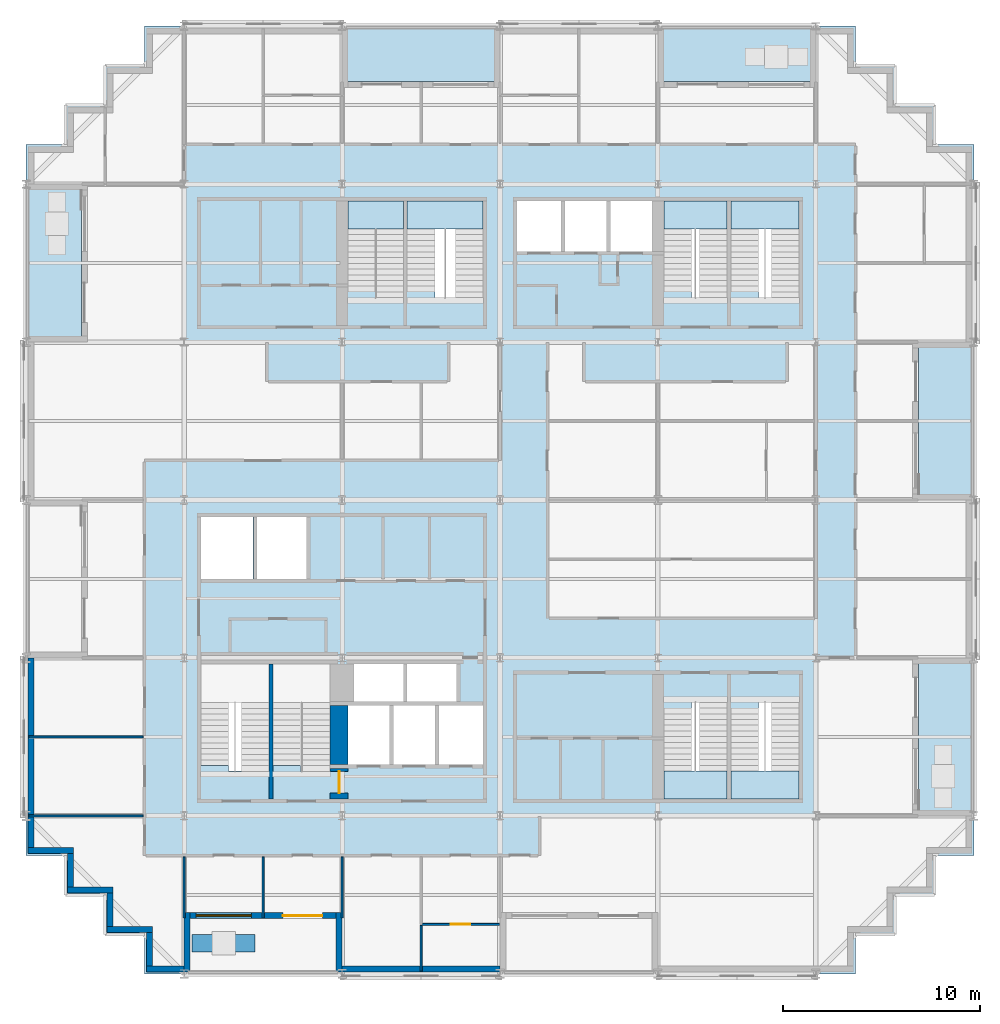
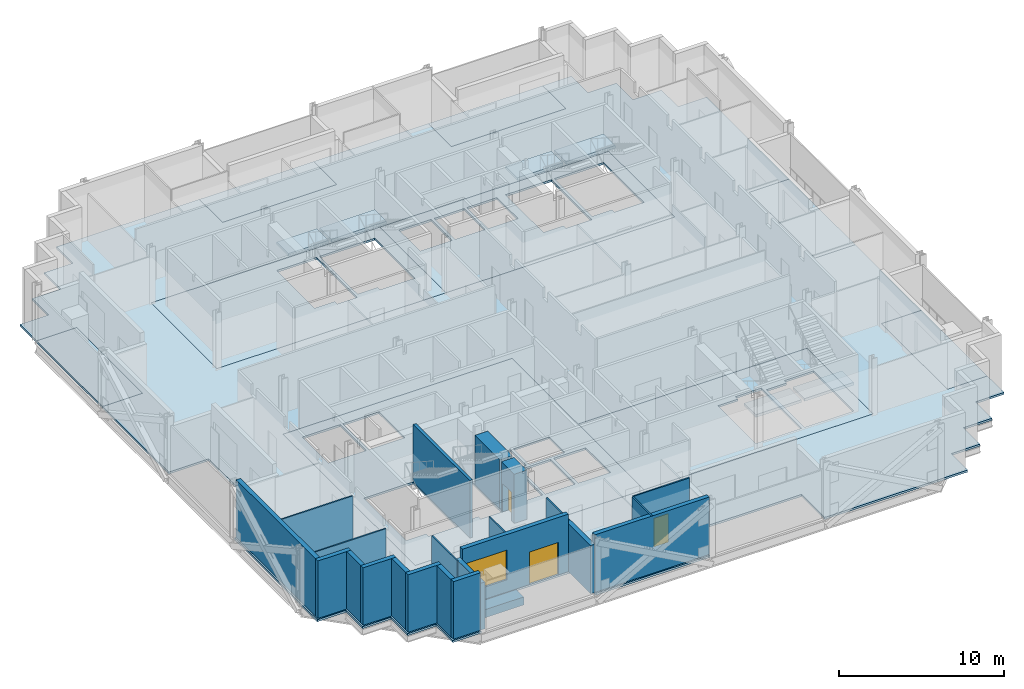
# One storey, part 5 of 15: 23 walls, 16 slabs, 3 doors, 1 window, 4 openings, 6 elements without a shape of their own.
"""IFC4 building model written with IfcOpenShell, lengths in metres."""

from ifc_helpers import new_model, si_unit, direction, frame, frame_2d, origin, place, context, subcontext, project, spatial, polyline, rectangle, outline, extrude, material, layer, layer_set, type_object, element, fill, aggregate, save


model = new_model("IFC4")

# Units and contexts
model_context = context("Model", 3, precision=1e-05, world=origin(), true_north=direction((0.0, 1.0)))
body_context = subcontext(model_context, "Body", "Model", "MODEL_VIEW")
ifc_project = project(units=[si_unit("LENGTHUNIT", "METRE"), si_unit("AREAUNIT", "SQUARE_METRE"), si_unit("VOLUMEUNIT", "CUBIC_METRE"), si_unit("PLANEANGLEUNIT", "RADIAN"), si_unit("MASSUNIT", "GRAM", prefix="KILO")], contexts=[model_context])

# Site, building, storey
site_placement = place(None, origin())
site = spatial("IfcSite", under=ifc_project, at=site_placement, CompositionType="ELEMENT")
building_placement = place(site_placement, origin())
building = spatial("IfcBuilding", under=site, at=building_placement, Name="Immortelle Media Tower", CompositionType="ELEMENT")
storey_placement = place(building_placement, frame((0.0, 0.0, 65.60009765625)))
storey = spatial("IfcBuildingStorey", under=building, at=storey_placement, Name="L11", CompositionType="ELEMENT", Elevation=65.60009765625)

# Slabs
ifc_material_1 = material(Name="Concrete C50/60 composite deck", Category="concrete")
ifc_layer_1 = layer(ifc_material_1, 0.14990234375)
ifc_layer_set_1 = layer_set([ifc_layer_1], Name="Concrete C50/60 composite deck")
slab_type_1 = type_object("IfcSlabType", Name="Balcony slab 150", PredefinedType="FLOOR", material=ifc_layer_set_1)
slab_1_placement = place(storey_placement, frame((0.0, 0.0, -0.150146484375)))
element("IfcSlab", 1, at=slab_1_placement, inside=storey, type_object=slab_type_1, Name="Balcony slab L11 W0", PredefinedType="FLOOR", context=body_context, shape_type="SweptSolid", body=[
    extrude(outline(polyline([(2.800048828125, 32.0), (2.800048828125, 40.0), (0.0, 40.0), (0.0, 32.0), (2.800048828125, 32.0)])), origin(), (0.0, 0.0, 1.0), 0.150146484375),
])
slab_2_placement = place(storey_placement, frame((0.0, 0.0, -0.150146484375)))
element("IfcSlab", 2, at=slab_2_placement, inside=storey, type_object=slab_type_1, Name="Balcony slab L11 E0", PredefinedType="FLOOR", context=body_context, shape_type="SweptSolid", body=[
    extrude(outline(polyline([(48.0, 8.0), (48.0, 16.0), (45.199951171875, 16.0), (45.199951171875, 8.0), (48.0, 8.0)])), origin(), (0.0, 0.0, 1.0), 0.150146484375),
])
slab_3_placement = place(storey_placement, frame((0.0, 0.0, -0.150146484375)))
element("IfcSlab", 3, at=slab_3_placement, inside=storey, type_object=slab_type_1, Name="Balcony slab L11 E2", PredefinedType="FLOOR", context=body_context, shape_type="SweptSolid", body=[
    extrude(outline(polyline([(48.0, 24.0), (48.0, 32.0), (45.199951171875, 32.0), (45.199951171875, 24.0), (48.0, 24.0)])), origin(), (0.0, 0.0, 1.0), 0.150146484375),
])
slab_4_placement = place(storey_placement, frame((0.0, 0.0, -0.150146484375)))
element("IfcSlab", 4, at=slab_4_placement, inside=storey, type_object=slab_type_1, Name="Balcony slab L11 N0", PredefinedType="FLOOR", context=body_context, shape_type="SweptSolid", body=[
    extrude(outline(polyline([(40.0, 45.199951171875), (40.0, 48.0), (32.0, 48.0), (32.0, 45.199951171875), (40.0, 45.199951171875)])), origin(), (0.0, 0.0, 1.0), 0.150146484375),
])
slab_5_placement = place(storey_placement, frame((0.0, 0.0, -0.150146484375)))
element("IfcSlab", 5, at=slab_5_placement, inside=storey, type_object=slab_type_1, Name="Balcony slab L11 N2", PredefinedType="FLOOR", context=body_context, shape_type="SweptSolid", body=[
    extrude(outline(polyline([(24.0, 45.199951171875), (24.0, 48.0), (16.0, 48.0), (16.0, 45.199951171875), (24.0, 45.199951171875)])), origin(), (0.0, 0.0, 1.0), 0.150146484375),
])
ifc_material_2 = material(Name="Concrete C50/60", Category="concrete")
ifc_layer_2 = layer(ifc_material_2, 0.14990234375)
ifc_layer_set_2 = layer_set([ifc_layer_2], Name="Concrete C50/60")
slab_type_2 = type_object("IfcSlabType", Name="Composite floor slab 150", PredefinedType="FLOOR", material=ifc_layer_set_2)
slab_6_placement = place(storey_placement, frame((0.0, 0.0, -0.150146484375)))
element("IfcSlab", 6, at=slab_6_placement, inside=storey, type_object=slab_type_2, Name="Floor slab L11", PredefinedType="FLOOR", context=body_context, shape_type="SweptSolid", body=[
    extrude(outline(polyline([(6.0, 0.0), (6.0, 2.0), (4.0, 2.0), (4.0, 4.0), (2.0, 4.0), (2.0, 6.0), (0.0, 6.0), (0.0, 16.0), (2.800048828125, 16.0), (2.800048828125, 24.0), (0.0, 24.0), (0.0, 32.0), (2.800048828125, 32.0), (2.800048828125, 40.0), (0.0, 40.0), (0.0, 42.0), (2.0, 42.0), (2.0, 44.0), (4.0, 44.0), (4.0, 46.0), (6.0, 46.0), (6.0, 48.0), (16.0, 48.0), (16.0, 45.199951171875), (24.0, 45.199951171875), (24.0, 48.0), (32.0, 48.0), (32.0, 45.199951171875), (40.0, 45.199951171875), (40.0, 48.0), (42.0, 48.0), (42.0, 46.0), (44.0, 46.0), (44.0, 44.0), (46.0, 44.0), (46.0, 42.0), (48.0, 42.0), (48.0, 32.0), (45.199951171875, 32.0), (45.199951171875, 24.0), (48.0, 24.0), (48.0, 16.0), (45.199951171875, 16.0), (45.199951171875, 8.0), (48.0, 8.0), (48.0, 6.0), (46.0, 6.0), (46.0, 4.0), (44.0, 4.0), (44.0, 2.0), (42.0, 2.0), (42.0, 0.0), (32.0, 0.0), (32.0, 2.800048828125), (24.0, 2.800048828125), (24.0, 0.0), (16.0, 0.0), (16.0, 2.800048828125), (8.0, 2.800048828125), (8.0, 0.0), (6.0, 0.0)]), holes=[polyline([(24.0, 24.0), (8.0, 24.0), (8.0, 8.0), (24.0, 8.0), (40.0, 8.0), (40.0, 16.0), (24.0, 16.0), (24.0, 24.0)]), polyline([(24.0, 32.0), (40.0, 32.0), (40.0, 40.0), (24.0, 40.0), (8.0, 40.0), (8.0, 32.0), (24.0, 32.0)])]), origin(), (0.0, 0.0, 1.0), 0.150146484375),
])
ifc_layer_3 = layer(ifc_material_2, 0.14990234375)
ifc_layer_set_3 = layer_set([ifc_layer_3], Name="Concrete C50/60")
slab_type_3 = type_object("IfcSlabType", Name="Core floor slab 150", PredefinedType="FLOOR", material=ifc_layer_set_3)
slab_7_placement = place(storey_placement, frame((0.0, 0.0, -0.150146484375)))
element("IfcSlab", 7, at=slab_7_placement, inside=storey, type_object=slab_type_3, Name="Core floor SW", PredefinedType="FLOOR", context=body_context, shape_type="SweptSolid", body=[
    extrude(outline(polyline([(8.0, 8.0), (24.0, 8.0), (24.0, 24.0), (8.0, 24.0), (8.0, 8.0)]), holes=[polyline([(8.85009765625, 20.0), (11.5, 20.0), (11.5, 23.14990234375), (8.85009765625, 23.14990234375), (8.85009765625, 20.0)]), polyline([(11.699951171875, 20.0), (14.199951171875, 20.0), (14.199951171875, 23.14990234375), (11.699951171875, 23.14990234375), (11.699951171875, 20.0)]), polyline([(16.60009765625, 13.800048828125), (19.10009765625, 13.800048828125), (19.10009765625, 15.699951171875), (16.60009765625, 15.699951171875), (16.60009765625, 13.800048828125)]), polyline([(19.300048828125, 13.800048828125), (21.800048828125, 13.800048828125), (21.800048828125, 15.699951171875), (19.300048828125, 15.699951171875), (19.300048828125, 13.800048828125)]), polyline([(16.300048828125, 10.60009765625), (18.39990234375, 10.60009765625), (18.39990234375, 13.60009765625), (16.300048828125, 13.60009765625), (16.300048828125, 10.60009765625)]), polyline([(18.60009765625, 10.60009765625), (20.699951171875, 10.60009765625), (20.699951171875, 13.60009765625), (18.60009765625, 13.60009765625), (18.60009765625, 10.60009765625)]), polyline([(20.89990234375, 10.60009765625), (23.14990234375, 10.60009765625), (23.14990234375, 13.60009765625), (20.89990234375, 13.60009765625), (20.89990234375, 10.60009765625)]), polyline([(8.85009765625, 15.699951171875), (12.300048828125, 15.699951171875), (12.300048828125, 10.27001953125), (10.25, 10.27001953125), (10.25, 10.56005859375), (8.85009765625, 10.56005859375), (8.85009765625, 15.699951171875)]), polyline([(12.5, 15.699951171875), (15.39990234375, 15.699951171875), (15.39990234375, 10.27001953125), (13.89990234375, 10.27001953125), (13.89990234375, 10.56005859375), (12.5, 10.56005859375), (12.5, 15.699951171875)])]), origin(), (0.0, 0.0, 1.0), 0.150146484375),
])
slab_8_placement = place(storey_placement, frame((0.0, 0.0, -0.150146484375)))
element("IfcSlab", 8, at=slab_8_placement, inside=storey, type_object=slab_type_3, Name="Core floor SE", PredefinedType="FLOOR", context=body_context, shape_type="SweptSolid", body=[
    extrude(outline(polyline([(24.0, 8.0), (40.0, 8.0), (40.0, 16.0), (24.0, 16.0), (24.0, 8.0)]), holes=[polyline([(35.5, 13.72998046875), (35.5, 8.85009765625), (32.300048828125, 8.85009765625), (32.300048828125, 13.43994140625), (33.699951171875, 13.43994140625), (33.699951171875, 13.72998046875), (35.5, 13.72998046875)]), polyline([(39.14990234375, 13.72998046875), (39.14990234375, 8.85009765625), (35.699951171875, 8.85009765625), (35.699951171875, 13.43994140625), (37.10009765625, 13.43994140625), (37.10009765625, 13.72998046875), (39.14990234375, 13.72998046875)])]), origin(), (0.0, 0.0, 1.0), 0.150146484375),
])
slab_9_placement = place(storey_placement, frame((0.0, 0.0, -0.150146484375)))
element("IfcSlab", 9, at=slab_9_placement, inside=storey, type_object=slab_type_3, Name="Core floor NW", PredefinedType="FLOOR", context=body_context, shape_type="SweptSolid", body=[
    extrude(outline(polyline([(8.0, 32.0), (24.0, 32.0), (24.0, 40.0), (8.0, 40.0), (8.0, 32.0)]), holes=[polyline([(16.300048828125, 39.14990234375), (19.10009765625, 39.14990234375), (19.10009765625, 34.27001953125), (17.699951171875, 34.27001953125), (17.699951171875, 34.56005859375), (16.300048828125, 34.56005859375), (16.300048828125, 39.14990234375)]), polyline([(19.300048828125, 39.14990234375), (23.14990234375, 39.14990234375), (23.14990234375, 34.27001953125), (20.699951171875, 34.27001953125), (20.699951171875, 34.56005859375), (19.300048828125, 34.56005859375), (19.300048828125, 39.14990234375)])]), origin(), (0.0, 0.0, 1.0), 0.150146484375),
])
slab_10_placement = place(storey_placement, frame((0.0, 0.0, -0.150146484375)))
element("IfcSlab", 10, at=slab_10_placement, inside=storey, type_object=slab_type_3, Name="Core floor NE", PredefinedType="FLOOR", context=body_context, shape_type="SweptSolid", body=[
    extrude(outline(polyline([(24.0, 32.0), (40.0, 32.0), (40.0, 40.0), (24.0, 40.0), (24.0, 32.0)]), holes=[polyline([(24.85009765625, 36.60009765625), (27.10009765625, 36.60009765625), (27.10009765625, 39.14990234375), (24.85009765625, 39.14990234375), (24.85009765625, 36.60009765625)]), polyline([(27.300048828125, 36.60009765625), (29.39990234375, 36.60009765625), (29.39990234375, 39.14990234375), (27.300048828125, 39.14990234375), (27.300048828125, 36.60009765625)]), polyline([(29.60009765625, 36.60009765625), (31.699951171875, 36.60009765625), (31.699951171875, 39.14990234375), (29.60009765625, 39.14990234375), (29.60009765625, 36.60009765625)]), polyline([(32.300048828125, 39.14990234375), (35.5, 39.14990234375), (35.5, 34.27001953125), (33.699951171875, 34.27001953125), (33.699951171875, 34.56005859375), (32.300048828125, 34.56005859375), (32.300048828125, 39.14990234375)]), polyline([(35.699951171875, 39.14990234375), (39.14990234375, 39.14990234375), (39.14990234375, 34.27001953125), (37.10009765625, 34.27001953125), (37.10009765625, 34.56005859375), (35.699951171875, 34.56005859375), (35.699951171875, 39.14990234375)])]), origin(), (0.0, 0.0, 1.0), 0.150146484375),
])

# Stair, slab
ifc_material_3 = material(Name="Steel ASTM A992 Gr 50", Category="steel")
stair_type = type_object("IfcStairType", Name="Stair with flights", PredefinedType="DOUBLE_RETURN_STAIR", material=ifc_material_3)
stair_1_placement = place(storey_placement, origin())
stair_1 = element("IfcStair", 11, at=stair_1_placement, inside=storey, type_object=stair_type, Name="Exit stair SE1", PredefinedType="DOUBLE_RETURN_STAIR")
ifc_material_4 = material(Name="Steel ASTM A572 Gr 50", Category="steel")
ifc_layer_4 = layer(ifc_material_4, 0.199951171875)
ifc_layer_set_4 = layer_set([ifc_layer_4], Name="Steel ASTM A572 Gr 50")
slab_type_4 = type_object("IfcSlabType", Name="Stair landing 200", PredefinedType="LANDING", material=ifc_layer_set_4)
slab_11_placement = place(storey_placement, frame((0.0, 0.0, 1.911865234375)))
slab_11 = element("IfcSlab", 12, at=slab_11_placement, type_object=slab_type_4, Name="ST SE1 landing 1", PredefinedType="LANDING", context=body_context, shape_type="SweptSolid", body=[
    extrude(outline(polyline([(32.300048828125, 8.85009765625), (35.5, 8.85009765625), (35.5, 10.27001953125), (32.300048828125, 10.27001953125), (32.300048828125, 8.85009765625)])), origin(), (0.0, 0.0, 1.0), 0.199951171875),
])
aggregate(stair_1, [slab_11])

stair_2_placement = place(storey_placement, origin())
stair_2 = element("IfcStair", 13, at=stair_2_placement, inside=storey, type_object=stair_type, Name="Exit stair SE2", PredefinedType="DOUBLE_RETURN_STAIR")
slab_12_placement = place(storey_placement, frame((0.0, 0.0, 1.911865234375)))
slab_12 = element("IfcSlab", 14, at=slab_12_placement, type_object=slab_type_4, Name="ST SE2 landing 1", PredefinedType="LANDING", context=body_context, shape_type="SweptSolid", body=[
    extrude(outline(polyline([(35.699951171875, 8.85009765625), (39.14990234375, 8.85009765625), (39.14990234375, 10.27001953125), (35.699951171875, 10.27001953125), (35.699951171875, 8.85009765625)])), origin(), (0.0, 0.0, 1.0), 0.199951171875),
])
aggregate(stair_2, [slab_12])

stair_3_placement = place(storey_placement, origin())
stair_3 = element("IfcStair", 15, at=stair_3_placement, inside=storey, type_object=stair_type, Name="Exit stair NW1", PredefinedType="DOUBLE_RETURN_STAIR")
slab_13_placement = place(storey_placement, frame((0.0, 0.0, 1.911865234375)))
slab_13 = element("IfcSlab", 16, at=slab_13_placement, type_object=slab_type_4, Name="ST NW1 landing 1", PredefinedType="LANDING", context=body_context, shape_type="SweptSolid", body=[
    extrude(outline(polyline([(16.300048828125, 37.72998046875), (19.10009765625, 37.72998046875), (19.10009765625, 39.14990234375), (16.300048828125, 39.14990234375), (16.300048828125, 37.72998046875)])), origin(), (0.0, 0.0, 1.0), 0.199951171875),
])
aggregate(stair_3, [slab_13])

stair_4_placement = place(storey_placement, origin())
stair_4 = element("IfcStair", 17, at=stair_4_placement, inside=storey, type_object=stair_type, Name="Exit stair NW2", PredefinedType="DOUBLE_RETURN_STAIR")
slab_14_placement = place(storey_placement, frame((0.0, 0.0, 1.911865234375)))
slab_14 = element("IfcSlab", 18, at=slab_14_placement, type_object=slab_type_4, Name="ST NW2 landing 1", PredefinedType="LANDING", context=body_context, shape_type="SweptSolid", body=[
    extrude(outline(polyline([(19.300048828125, 37.72998046875), (23.14990234375, 37.72998046875), (23.14990234375, 39.14990234375), (19.300048828125, 39.14990234375), (19.300048828125, 37.72998046875)])), origin(), (0.0, 0.0, 1.0), 0.199951171875),
])
aggregate(stair_4, [slab_14])

stair_5_placement = place(storey_placement, origin())
stair_5 = element("IfcStair", 19, at=stair_5_placement, inside=storey, type_object=stair_type, Name="Exit stair NE1", PredefinedType="DOUBLE_RETURN_STAIR")
slab_15_placement = place(storey_placement, frame((0.0, 0.0, 1.911865234375)))
slab_15 = element("IfcSlab", 20, at=slab_15_placement, type_object=slab_type_4, Name="ST NE1 landing 1", PredefinedType="LANDING", context=body_context, shape_type="SweptSolid", body=[
    extrude(outline(polyline([(32.300048828125, 37.72998046875), (35.5, 37.72998046875), (35.5, 39.14990234375), (32.300048828125, 39.14990234375), (32.300048828125, 37.72998046875)])), origin(), (0.0, 0.0, 1.0), 0.199951171875),
])
aggregate(stair_5, [slab_15])

stair_6_placement = place(storey_placement, origin())
stair_6 = element("IfcStair", 21, at=stair_6_placement, inside=storey, type_object=stair_type, Name="Exit stair NE2", PredefinedType="DOUBLE_RETURN_STAIR")
slab_16_placement = place(storey_placement, frame((0.0, 0.0, 1.911865234375)))
slab_16 = element("IfcSlab", 22, at=slab_16_placement, type_object=slab_type_4, Name="ST NE2 landing 1", PredefinedType="LANDING", context=body_context, shape_type="SweptSolid", body=[
    extrude(outline(polyline([(35.699951171875, 37.72998046875), (39.14990234375, 37.72998046875), (39.14990234375, 39.14990234375), (35.699951171875, 39.14990234375), (35.699951171875, 37.72998046875)])), origin(), (0.0, 0.0, 1.0), 0.199951171875),
])
aggregate(stair_6, [slab_16])

# Walls
ifc_material_5 = material(Name="Pale aluminium cladding panel", Category="aluminium")
ifc_layer_5 = layer(ifc_material_5, 0.030029296875)
ifc_material_6 = material(Name="Steel ASTM A653 SS Gr 50 stud frame with mineral wool", Category="steel")
ifc_layer_6 = layer(ifc_material_6, 0.257568359375)
ifc_material_7 = material(Name="Moisture-resistant gypsum board", Category="gypsum")
ifc_layer_7 = layer(ifc_material_7, 0.012451171875)
ifc_layer_set_5 = layer_set([ifc_layer_5, ifc_layer_6, ifc_layer_7], Name="Steel ASTM A653 SS Gr 50 stud frame with mineral wool")
wall_type_1 = type_object("IfcWallType", Name="Facade wall 300", PredefinedType="SOLIDWALL", material=ifc_layer_set_5)
wall_1_placement = place(storey_placement, frame((0.25, 16.0, 0.0), z_axis=(0.0, 0.0, 1.0), x_axis=(0.0, -1.0, 0.0)))
element("IfcWall", 23, at=wall_1_placement, inside=storey, type_object=wall_type_1, Name="Facade wall L11 W0", PredefinedType="SOLIDWALL", context=body_context, shape_type="SweptSolid", body=[
    extrude(rectangle(XDim=9.60009765625, YDim=0.300048828125, at=frame_2d((4.800048828125, 0.0))), origin(), (0.0, 0.0, 1.0), 4.25),
])
wall_2_placement = place(storey_placement, frame((0.10009765625, 6.25, 0.0), z_axis=(0.0, 0.0, 1.0), x_axis=(1.0, 0.0, 0.0)))
element("IfcWall", 24, at=wall_2_placement, inside=storey, type_object=wall_type_1, Name="Facade wall L11 S1", PredefinedType="SOLIDWALL", context=body_context, shape_type="SweptSolid", body=[
    extrude(rectangle(XDim=2.2998046875, YDim=0.300048828125, at=frame_2d((1.14990234375, 0.0))), origin(), (0.0, 0.0, 1.0), 4.25),
])
wall_3_placement = place(storey_placement, frame((2.25, 6.10009765625, 0.0), z_axis=(0.0, 0.0, 1.0), x_axis=(0.0, -1.0, 0.0)))
element("IfcWall", 25, at=wall_3_placement, inside=storey, type_object=wall_type_1, Name="Facade wall L11 W2", PredefinedType="SOLIDWALL", context=body_context, shape_type="SweptSolid", body=[
    extrude(rectangle(XDim=1.7001953125, YDim=0.300048828125, at=frame_2d((0.85009765625, 0.0))), origin(), (0.0, 0.0, 1.0), 4.25),
])
wall_4_placement = place(storey_placement, frame((2.10009765625, 4.25, 0.0), z_axis=(0.0, 0.0, 1.0), x_axis=(1.0, 0.0, 0.0)))
element("IfcWall", 26, at=wall_4_placement, inside=storey, type_object=wall_type_1, Name="Facade wall L11 S3", PredefinedType="SOLIDWALL", context=body_context, shape_type="SweptSolid", body=[
    extrude(rectangle(XDim=2.2998046875, YDim=0.300048828125, at=frame_2d((1.14990234375, 0.0))), origin(), (0.0, 0.0, 1.0), 4.25),
])
wall_5_placement = place(storey_placement, frame((4.25, 4.10009765625, 0.0), z_axis=(0.0, 0.0, 1.0), x_axis=(0.0, -1.0, 0.0)))
element("IfcWall", 27, at=wall_5_placement, inside=storey, type_object=wall_type_1, Name="Facade wall L11 W4", PredefinedType="SOLIDWALL", context=body_context, shape_type="SweptSolid", body=[
    extrude(rectangle(XDim=1.7001953125, YDim=0.300048828125, at=frame_2d((0.85009765625, 0.0))), origin(), (0.0, 0.0, 1.0), 4.25),
])
wall_6_placement = place(storey_placement, frame((4.10009765625, 2.25, 0.0), z_axis=(0.0, 0.0, 1.0), x_axis=(1.0, 0.0, 0.0)))
element("IfcWall", 28, at=wall_6_placement, inside=storey, type_object=wall_type_1, Name="Facade wall L11 S5", PredefinedType="SOLIDWALL", context=body_context, shape_type="SweptSolid", body=[
    extrude(rectangle(XDim=2.2998046875, YDim=0.300048828125, at=frame_2d((1.14990234375, 0.0))), origin(), (0.0, 0.0, 1.0), 4.25),
])
wall_7_placement = place(storey_placement, frame((6.25, 2.10009765625, 0.0), z_axis=(0.0, 0.0, 1.0), x_axis=(0.0, -1.0, 0.0)))
element("IfcWall", 29, at=wall_7_placement, inside=storey, type_object=wall_type_1, Name="Facade wall L11 W6", PredefinedType="SOLIDWALL", context=body_context, shape_type="SweptSolid", body=[
    extrude(rectangle(XDim=1.7001953125, YDim=0.300048828125, at=frame_2d((0.85009765625, 0.0))), origin(), (0.0, 0.0, 1.0), 4.25),
])
wall_8_placement = place(storey_placement, frame((6.10009765625, 0.25, 0.0), z_axis=(0.0, 0.0, 1.0), x_axis=(1.0, 0.0, 0.0)))
element("IfcWall", 30, at=wall_8_placement, inside=storey, type_object=wall_type_1, Name="Facade wall L11 S7", PredefinedType="SOLIDWALL", context=body_context, shape_type="SweptSolid", body=[
    extrude(rectangle(XDim=1.89990234375, YDim=0.300048828125, at=frame_2d((0.949951171875, 0.0))), origin(), (0.0, 0.0, 1.0), 4.25),
])

# Wall, openings, door, window
wall_9_placement = place(storey_placement, frame((8.300048828125, 2.949951171875, 0.0), z_axis=(0.0, 0.0, 1.0), x_axis=(1.0, 0.0, 0.0)))
wall_9 = element("IfcWall", 31, at=wall_9_placement, inside=storey, type_object=wall_type_1, Name="Loggia wall L11 S7", PredefinedType="SOLIDWALL", context=body_context, shape_type="SweptSolid", body=[
    extrude(rectangle(XDim=7.39990234375, YDim=0.300048828125, at=frame_2d((3.699951171875, 0.0))), origin(), (0.0, 0.0, 1.0), 4.25),
])
opening_1_placement = place(wall_9_placement, frame((0.300048828125, 0.0, 0.89990234375)))
opening_1 = element("IfcOpeningElement", 32, at=opening_1_placement, cuts=wall_9, Name="Opening W1", PredefinedType="OPENING", context=body_context, shape_type="SweptSolid", body=[
    extrude(rectangle(XDim=2.800048828125, YDim=2.199951171875, at=frame_2d((1.39990234375, 1.10009765625))), frame((0.0, 0.159912109375, 0.0), z_axis=(0.0, -1.0, 0.0), x_axis=(1.0, 0.0, 0.0)), (0.0, 0.0, 1.0), 0.320068359375),
])
opening_2_placement = place(wall_9_placement, frame((4.699951171875, 0.0, 0.0)))
opening_2 = element("IfcOpeningElement", 33, at=opening_2_placement, cuts=wall_9, Name="Opening N3-E003", PredefinedType="OPENING", context=body_context, shape_type="SweptSolid", body=[
    extrude(rectangle(XDim=2.0, YDim=2.39990234375, at=frame_2d((1.0, 1.199951171875))), frame((0.0, 0.159912109375, 0.0), z_axis=(0.0, -1.0, 0.0), x_axis=(1.0, 0.0, 0.0)), (0.0, 0.0, 1.0), 0.320068359375),
])
ifc_material_8 = material(Name="Aluminium frame, glazed leaves", Category="aluminium")
door_type_1 = type_object("IfcDoorType", Name="Loggia door 2000 x 2400", OperationType="DOUBLE_DOOR_SINGLE_SWING", PredefinedType="DOOR", material=ifc_material_8)
door_1_placement = place(opening_2_placement, origin())
door_1 = element("IfcDoor", 34, at=door_1_placement, inside=storey, type_object=door_type_1, Name="Door N3-E003", OperationType="DOUBLE_DOOR_SINGLE_SWING", OverallHeight=2.39990234375, OverallWidth=2.0, PredefinedType="DOOR", context=body_context, shape_type="SweptSolid", body=[
    extrude(rectangle(XDim=2.0, YDim=2.39990234375, at=frame_2d((1.0, 1.199951171875))), frame((0.0, 0.02490234375, 0.0), z_axis=(0.0, -1.0, 0.0), x_axis=(1.0, 0.0, 0.0)), (0.0, 0.0, 1.0), 0.050048828125),
])
fill(opening_2, door_1)
ifc_material_9 = material(Name="Aluminium frame", Category="aluminium")
window_type = type_object("IfcWindowType", Name="Window 2800 x 2200", PartitioningType="SINGLE_PANEL", PredefinedType="WINDOW", material=ifc_material_9)
window_placement = place(opening_1_placement, origin())
window = element("IfcWindow", 35, at=window_placement, inside=storey, type_object=window_type, Name="Window L11 L11-R7-B0", OverallHeight=2.199951171875, OverallWidth=2.800048828125, PartitioningType="SINGLE_PANEL", PredefinedType="WINDOW", context=body_context, shape_type="SweptSolid", body=[
    extrude(rectangle(XDim=2.800048828125, YDim=2.199951171875, at=frame_2d((1.39990234375, 1.10009765625))), frame((0.0, 0.030029296875, 0.0), z_axis=(0.0, -1.0, 0.0), x_axis=(1.0, 0.0, 0.0)), (0.0, 0.0, 1.0), 0.06005859375),
])
fill(opening_1, window)

# Walls
wall_10_placement = place(storey_placement, frame((8.14990234375, 0.10009765625, 0.0), z_axis=(0.0, 0.0, 1.0), x_axis=(0.0, 1.0, 0.0)))
element("IfcWall", 36, at=wall_10_placement, inside=storey, type_object=wall_type_1, Name="Loggia cheek wall L11 S", PredefinedType="SOLIDWALL", context=body_context, shape_type="SweptSolid", body=[
    extrude(rectangle(XDim=3.0, YDim=0.300048828125, at=frame_2d((1.5, 0.0))), origin(), (0.0, 0.0, 1.0), 3.468994140625),
])
wall_11_placement = place(storey_placement, frame((15.85009765625, 0.10009765625, 0.0), z_axis=(0.0, 0.0, 1.0), x_axis=(0.0, 1.0, 0.0)))
element("IfcWall", 37, at=wall_11_placement, inside=storey, type_object=wall_type_1, Name="Loggia cheek wall L11 S", PredefinedType="SOLIDWALL", context=body_context, shape_type="SweptSolid", body=[
    extrude(rectangle(XDim=3.0, YDim=0.300048828125, at=frame_2d((1.5, 0.0))), origin(), (0.0, 0.0, 1.0), 3.555908203125),
])
wall_12_placement = place(storey_placement, frame((16.0, 0.25, 0.0), z_axis=(0.0, 0.0, 1.0), x_axis=(1.0, 0.0, 0.0)))
element("IfcWall", 38, at=wall_12_placement, inside=storey, type_object=wall_type_1, Name="Facade wall L11 S7", PredefinedType="SOLIDWALL", context=body_context, shape_type="SweptSolid", body=[
    extrude(rectangle(XDim=8.0, YDim=0.300048828125, at=frame_2d((4.0, 0.0))), origin(), (0.0, 0.0, 1.0), 4.25),
])
ifc_material_10 = material(Name="Gypsum board", Category="gypsum")
ifc_layer_8 = layer(ifc_material_10, 0.012451171875)
ifc_layer_9 = layer(ifc_material_6, 0.074951171875)
ifc_layer_10 = layer(ifc_material_10, 0.012451171875)
ifc_layer_set_6 = layer_set([ifc_layer_8, ifc_layer_9, ifc_layer_10], Name="Steel ASTM A653 SS Gr 50 stud frame with mineral wool")
wall_type_2 = type_object("IfcWallType", Name="Partition 100", PredefinedType="PARTITIONING", material=ifc_layer_set_6)
wall_13_placement = place(storey_placement, frame((20.0, 0.1298828125, 0.0), z_axis=(0.0, 0.0, 1.0), x_axis=(0.0, 1.0, 0.0)))
element("IfcWall", 39, at=wall_13_placement, inside=storey, type_object=wall_type_2, Name="Partition L11-001", PredefinedType="PARTITIONING", context=body_context, shape_type="SweptSolid", body=[
    extrude(rectangle(XDim=2.320068359375, YDim=0.10009765625, at=frame_2d((1.16015625, 0.0))), origin(), (0.0, 0.0, 1.0), 4.25),
])

# Wall, opening, door
wall_14_placement = place(storey_placement, frame((20.050048828125, 2.5, 0.0), z_axis=(0.0, 0.0, 1.0), x_axis=(1.0, 0.0, 0.0)))
wall_14 = element("IfcWall", 40, at=wall_14_placement, inside=storey, type_object=wall_type_2, Name="Partition L11-002", PredefinedType="PARTITIONING", context=body_context, shape_type="SweptSolid", body=[
    extrude(rectangle(XDim=3.919921875, YDim=0.10009765625, at=frame_2d((1.9599609375, 0.0))), origin(), (0.0, 0.0, 1.0), 4.25),
])
opening_3_placement = place(wall_14_placement, frame((1.449951171875, 0.0, 0.0)))
opening_3 = element("IfcOpeningElement", 41, at=opening_3_placement, cuts=wall_14, Name="Opening N3-F003", PredefinedType="OPENING", context=body_context, shape_type="SweptSolid", body=[
    extrude(rectangle(XDim=1.0, YDim=2.10009765625, at=frame_2d((0.5, 1.050048828125))), frame((0.0, 0.06005859375, 0.0), z_axis=(0.0, -1.0, 0.0), x_axis=(1.0, 0.0, 0.0)), (0.0, 0.0, 1.0), 0.1201171875),
])
ifc_material_11 = material(Name="Timber veneered door leaf, galvanised steel frame ASTM A653", Category="steel")
door_type_2 = type_object("IfcDoorType", Name="Room door 1000 x 2100", OperationType="NOTDEFINED", PredefinedType="DOOR", material=ifc_material_11)
door_2_placement = place(opening_3_placement, origin())
door_2 = element("IfcDoor", 42, at=door_2_placement, inside=storey, type_object=door_type_2, Name="Door N3-F003", OperationType="SINGLE_SWING_RIGHT", OverallHeight=2.10009765625, OverallWidth=1.0, PredefinedType="DOOR", context=body_context, shape_type="SweptSolid", body=[
    extrude(rectangle(XDim=1.0, YDim=2.10009765625, at=frame_2d((0.5, 1.050048828125))), frame((0.0, 0.02490234375, 0.0), z_axis=(0.0, -1.0, 0.0), x_axis=(1.0, 0.0, 0.0)), (0.0, 0.0, 1.0), 0.050048828125),
])
fill(opening_3, door_2)

# Walls
for number, where, z_axis, x_axis, name in (
    (43, (8.0, 2.830078125, 0.0), (0.0, 0.0, 1.0), (0.0, 1.0, 0.0), "Partition L11-004"),
    (44, (12.0, 2.830078125, 0.0), (0.0, 0.0, 1.0), (0.0, 1.0, 0.0), "Partition L11-005"),
    (45, (16.0, 2.830078125, 0.0), (0.0, 0.0, 1.0), (0.0, 1.0, 0.0), "Partition L11-006"),
):
    element("IfcWall", number, at=place(storey_placement, frame(where, z_axis=z_axis, x_axis=x_axis)), inside=storey, type_object=wall_type_2, Name=name, PredefinedType="PARTITIONING", context=body_context, shape_type="SweptSolid", body=[
        extrude(rectangle(XDim=3.094970703125, YDim=0.10009765625, at=frame_2d((1.54736328125, 0.0))), origin(), (0.0, 0.0, 1.0), 3.469970703125),
    ])
for number, where, z_axis, x_axis, name in (
    (46, (0.1298828125, 8.0, 0.0), (0.0, 0.0, 1.0), (1.0, 0.0, 0.0), "Partition L11-011"),
    (47, (0.1298828125, 12.0, 0.0), (0.0, 0.0, 1.0), (1.0, 0.0, 0.0), "Partition L11-013"),
):
    element("IfcWall", number, at=place(storey_placement, frame(where, z_axis=z_axis, x_axis=x_axis)), inside=storey, type_object=wall_type_2, Name=name, PredefinedType="PARTITIONING", context=body_context, shape_type="SweptSolid", body=[
        extrude(rectangle(XDim=5.795166015625, YDim=0.10009765625, at=frame_2d((2.8974609375, 0.0))), origin(), (0.0, 0.0, 1.0), 3.469970703125),
    ])
ifc_layer_11 = layer(ifc_material_5, 0.0029296875)
ifc_material_12 = material(Name="Steel ASTM A572 Gr 50 planter shell", Category="steel")
ifc_layer_12 = layer(ifc_material_12, 0.011962890625)
ifc_material_13 = material(Name="Planting substrate", Category="soil")
ifc_layer_13 = layer(ifc_material_13, 0.873046875)
ifc_layer_14 = layer(ifc_material_12, 0.011962890625)
ifc_layer_set_7 = layer_set([ifc_layer_11, ifc_layer_12, ifc_layer_13, ifc_layer_14], Name="Steel ASTM A572 Gr 50 planter shell")
wall_type_3 = type_object("IfcWallType", Name="Planter wall 900", PredefinedType="SOLIDWALL", material=ifc_layer_set_7)
wall_15_placement = place(storey_placement, frame((8.39990234375, 1.550048828125, 0.0), z_axis=(0.0, 0.0, 1.0), x_axis=(1.0, 0.0, 0.0)))
element("IfcWall", 48, at=wall_15_placement, inside=storey, type_object=wall_type_3, Name="Planter L11 S0", PredefinedType="SOLIDWALL", context=body_context, shape_type="SweptSolid", body=[
    extrude(rectangle(XDim=3.2001953125, YDim=0.89990234375, at=frame_2d((1.60009765625, 0.0))), origin(), (0.0, 0.0, 1.0), 0.599853515625),
])
ifc_material_14 = material(Name="Concrete C60", Category="concrete")
ifc_layer_15 = layer(ifc_material_14, 0.199951171875)
ifc_layer_set_8 = layer_set([ifc_layer_15], Name="Concrete C60")
wall_type_4 = type_object("IfcWallType", Name="Stair shaft wall 200", PredefinedType="PARTITIONING", material=ifc_layer_set_8)
wall_16_placement = place(storey_placement, frame((12.39990234375, 8.85009765625, 0.0), z_axis=(0.0, 0.0, 1.0), x_axis=(0.0, 1.0, 0.0)))
element("IfcWall", 49, at=wall_16_placement, inside=storey, type_object=wall_type_4, Name="Stair shaft wall SW", PredefinedType="PARTITIONING", context=body_context, shape_type="SweptSolid", body=[
    extrude(rectangle(XDim=6.849853515625, YDim=0.199951171875, at=frame_2d((3.4248046875, 0.0))), origin(), (0.0, 0.0, 1.0), 4.25),
])

# Wall, opening, door
ifc_layer_16 = layer(ifc_material_14, 0.89990234375)
ifc_layer_set_9 = layer_set([ifc_layer_16], Name="Concrete C60")
wall_type_5 = type_object("IfcWallType", Name="Stair shaft wall 900", PredefinedType="PARTITIONING", material=ifc_layer_set_9)
wall_17_placement = place(storey_placement, frame((15.85009765625, 8.85009765625, 0.0), z_axis=(0.0, 0.0, 1.0), x_axis=(0.0, 1.0, 0.0)))
wall_17 = element("IfcWall", 50, at=wall_17_placement, inside=storey, type_object=wall_type_5, Name="Stair shaft wall SW", PredefinedType="PARTITIONING", context=body_context, shape_type="SweptSolid", body=[
    extrude(rectangle(XDim=1.5498046875, YDim=0.89990234375, at=frame_2d((0.77490234375, 0.0))), origin(), (0.0, 0.0, 1.0), 3.6318359375),
])
opening_4_placement = place(wall_17_placement, frame((0.300048828125, 0.0, 0.0)))
opening_4 = element("IfcOpeningElement", 51, at=opening_4_placement, cuts=wall_17, Name="Opening N3-K005", PredefinedType="OPENING", context=body_context, shape_type="SweptSolid", body=[
    extrude(rectangle(XDim=1.10009765625, YDim=2.10009765625, at=frame_2d((0.550048828125, 1.050048828125))), frame((0.0, 0.4599609375, 0.0), z_axis=(0.0, -1.0, 0.0), x_axis=(1.0, 0.0, 0.0)), (0.0, 0.0, 1.0), 0.919921875),
])
ifc_material_15 = material(Name="Galvanised steel door leaf and frame ASTM A653", Category="steel")
door_type_3 = type_object("IfcDoorType", Name="Stair lobby door 1100 x 2100", OperationType="NOTDEFINED", PredefinedType="NOTDEFINED", material=ifc_material_15)
door_3_placement = place(opening_4_placement, origin())
door_3 = element("IfcDoor", 52, at=door_3_placement, inside=storey, type_object=door_type_3, Name="Stair lobby N3-K005", OperationType="SINGLE_SWING_LEFT", OverallHeight=2.10009765625, OverallWidth=1.10009765625, PredefinedType="NOTDEFINED", context=body_context, shape_type="SweptSolid", body=[
    extrude(rectangle(XDim=1.10009765625, YDim=2.10009765625, at=frame_2d((0.550048828125, 1.050048828125))), frame((0.0, 0.02490234375, 0.0), z_axis=(0.0, -1.0, 0.0), x_axis=(1.0, 0.0, 0.0)), (0.0, 0.0, 1.0), 0.050048828125),
])
fill(opening_4, door_3)

# Wall
wall_18_placement = place(storey_placement, frame((15.85009765625, 10.60009765625, 0.0), z_axis=(0.0, 0.0, 1.0), x_axis=(0.0, 1.0, 0.0)))
element("IfcWall", 53, at=wall_18_placement, inside=storey, type_object=wall_type_5, Name="Stair shaft wall SW", PredefinedType="PARTITIONING", context=body_context, shape_type="SweptSolid", body=[
    extrude(rectangle(XDim=3.0, YDim=0.89990234375, at=frame_2d((1.5, 0.0))), origin(), (0.0, 0.0, 1.0), 3.6318359375),
])

save(model, "model.ifc")
